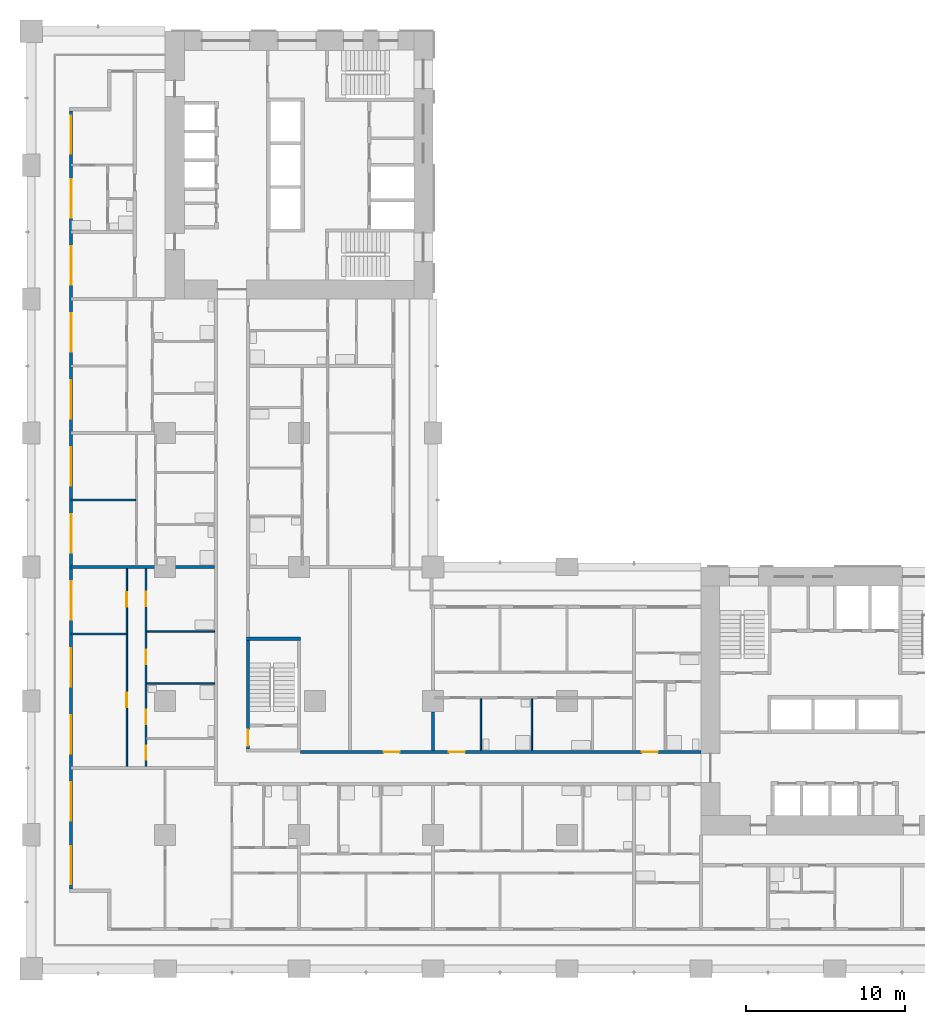
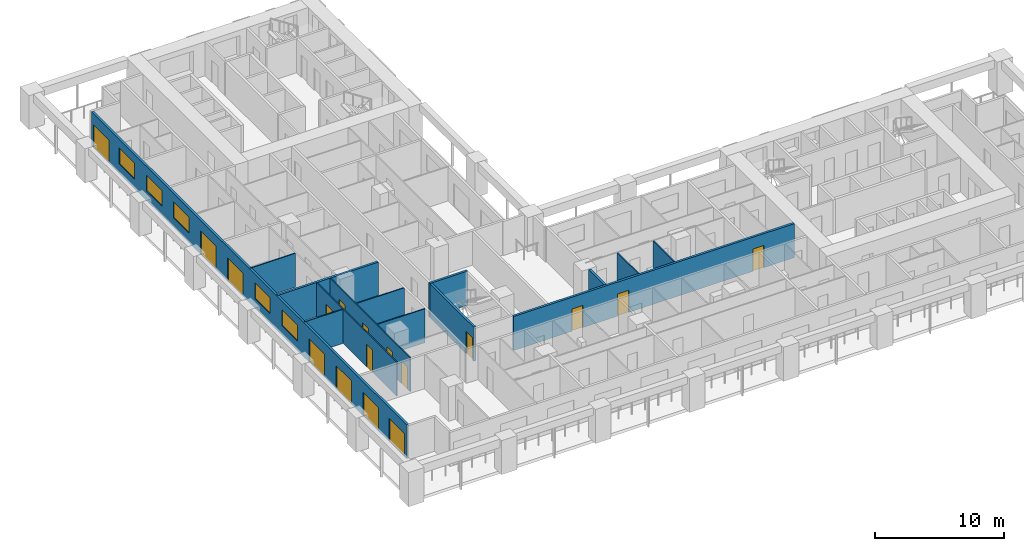
# One storey, part 3 of 19: 17 doors, 14 walls, 5 windows, 22 openings.
"""IFC4 building model written with IfcOpenShell, lengths in metres."""

from ifc_helpers import new_model, si_unit, direction, frame, frame_2d, origin, place, context, subcontext, project, spatial, rectangle, extrude, material, layer, layer_set, type_object, element, fill, save


model = new_model("IFC4")

# Units and contexts
model_context = context("Model", 3, precision=1e-05, world=origin(), true_north=direction((0.0, 1.0)))
body_context = subcontext(model_context, "Body", "Model", "MODEL_VIEW")
ifc_project = project(units=[si_unit("LENGTHUNIT", "METRE"), si_unit("AREAUNIT", "SQUARE_METRE"), si_unit("VOLUMEUNIT", "CUBIC_METRE"), si_unit("PLANEANGLEUNIT", "RADIAN"), si_unit("MASSUNIT", "GRAM", prefix="KILO")], contexts=[model_context])

# Site, building, storey
site_placement = place(None, origin())
site = spatial("IfcSite", under=ifc_project, at=site_placement, CompositionType="ELEMENT")
building_placement = place(site_placement, origin())
building = spatial("IfcBuilding", under=site, at=building_placement, Name="Vermilion Gate Residences", CompositionType="ELEMENT")
storey_placement = place(building_placement, frame((0.0, 0.0, 53.199951171875)))
storey = spatial("IfcBuildingStorey", under=building, at=storey_placement, Name="L12", CompositionType="ELEMENT", Elevation=53.199951171875)

# Wall, openings, doors, windows
ifc_material_1 = material(Name="Insulated steel stud wall with terracotta rainscreen", Category="masonry")
ifc_layer_1 = layer(ifc_material_1, 0.199951171875)
ifc_layer_set_1 = layer_set([ifc_layer_1], Name="EXTERNAL WALL 200 TERRACOTTA RAINSCREEN")
wall_type_1 = type_object("IfcWallType", Name="EXTERNAL WALL 200 TERRACOTTA RAINSCREEN", PredefinedType="SOLIDWALL", material=ifc_layer_set_1)
wall_1_placement = place(storey_placement, frame((2.5, 53.800048828125, 0.0), z_axis=(0.0, 0.0, 1.0), x_axis=(0.0, -1.0, 0.0)))
wall_1 = element("IfcWall", 1, at=wall_1_placement, inside=storey, type_object=wall_type_1, Name="External wall", PredefinedType="SOLIDWALL", context=body_context, shape_type="SweptSolid", body=[
    extrude(rectangle(XDim=48.800048828125, YDim=0.199951171875, at=frame_2d((24.39990234375, 0.0))), origin(), (0.0, 0.0, 1.0), 3.219970703125),
])
opening_1_placement = place(wall_1_placement, frame((46.10009765625, 0.0, 0.0)))
opening_1 = element("IfcOpeningElement", 2, at=opening_1_placement, cuts=wall_1, Name="Opening DE12002", PredefinedType="OPENING", context=body_context, shape_type="SweptSolid", body=[
    extrude(rectangle(XDim=2.39990234375, YDim=2.199951171875, at=frame_2d((1.199951171875, 1.10009765625))), frame((0.0, 0.10986328125, 0.0), z_axis=(0.0, -1.0, 0.0), x_axis=(1.0, 0.0, 0.0)), (0.0, 0.0, 1.0), 0.219970703125),
])
opening_2_placement = place(wall_1_placement, frame((42.10009765625, 0.0, 0.0)))
opening_2 = element("IfcOpeningElement", 3, at=opening_2_placement, cuts=wall_1, Name="Opening DE12003", PredefinedType="OPENING", context=body_context, shape_type="SweptSolid", body=[
    extrude(rectangle(XDim=2.39990234375, YDim=2.199951171875, at=frame_2d((1.199951171875, 1.10009765625))), frame((0.0, 0.10986328125, 0.0), z_axis=(0.0, -1.0, 0.0), x_axis=(1.0, 0.0, 0.0)), (0.0, 0.0, 1.0), 0.219970703125),
])
opening_3_placement = place(wall_1_placement, frame((37.89990234375, 0.0, 0.0)))
opening_3 = element("IfcOpeningElement", 4, at=opening_3_placement, cuts=wall_1, Name="Opening DE12004", PredefinedType="OPENING", context=body_context, shape_type="SweptSolid", body=[
    extrude(rectangle(XDim=2.39990234375, YDim=2.199951171875, at=frame_2d((1.199951171875, 1.10009765625))), frame((0.0, 0.10986328125, 0.0), z_axis=(0.0, -1.0, 0.0), x_axis=(1.0, 0.0, 0.0)), (0.0, 0.0, 1.0), 0.219970703125),
])
opening_4_placement = place(wall_1_placement, frame((33.699951171875, 0.0, 0.0)))
opening_4 = element("IfcOpeningElement", 5, at=opening_4_placement, cuts=wall_1, Name="Opening DE12005", PredefinedType="OPENING", context=body_context, shape_type="SweptSolid", body=[
    extrude(rectangle(XDim=2.39990234375, YDim=2.199951171875, at=frame_2d((1.199951171875, 1.10009765625))), frame((0.0, 0.10986328125, 0.0), z_axis=(0.0, -1.0, 0.0), x_axis=(1.0, 0.0, 0.0)), (0.0, 0.0, 1.0), 0.219970703125),
])
opening_5_placement = place(wall_1_placement, frame((29.5, 0.0, 0.89990234375)))
opening_5 = element("IfcOpeningElement", 6, at=opening_5_placement, cuts=wall_1, Name="Opening WE12006", PredefinedType="OPENING", context=body_context, shape_type="SweptSolid", body=[
    extrude(rectangle(XDim=2.39990234375, YDim=1.5, at=frame_2d((1.199951171875, 0.75))), frame((0.0, 0.10986328125, 0.0), z_axis=(0.0, -1.0, 0.0), x_axis=(1.0, 0.0, 0.0)), (0.0, 0.0, 1.0), 0.219970703125),
])
opening_6_placement = place(wall_1_placement, frame((25.300048828125, 0.0, 0.89990234375)))
opening_6 = element("IfcOpeningElement", 7, at=opening_6_placement, cuts=wall_1, Name="Opening WE12007", PredefinedType="OPENING", context=body_context, shape_type="SweptSolid", body=[
    extrude(rectangle(XDim=2.39990234375, YDim=1.5, at=frame_2d((1.199951171875, 0.75))), frame((0.0, 0.10986328125, 0.0), z_axis=(0.0, -1.0, 0.0), x_axis=(1.0, 0.0, 0.0)), (0.0, 0.0, 1.0), 0.219970703125),
])
opening_7_placement = place(wall_1_placement, frame((21.10009765625, 0.0, 0.0)))
opening_7 = element("IfcOpeningElement", 8, at=opening_7_placement, cuts=wall_1, Name="Opening DE12008", PredefinedType="OPENING", context=body_context, shape_type="SweptSolid", body=[
    extrude(rectangle(XDim=2.39990234375, YDim=2.199951171875, at=frame_2d((1.199951171875, 1.10009765625))), frame((0.0, 0.10986328125, 0.0), z_axis=(0.0, -1.0, 0.0), x_axis=(1.0, 0.0, 0.0)), (0.0, 0.0, 1.0), 0.219970703125),
])
opening_8_placement = place(wall_1_placement, frame((16.89990234375, 0.0, 0.0)))
opening_8 = element("IfcOpeningElement", 9, at=opening_8_placement, cuts=wall_1, Name="Opening DE12009", PredefinedType="OPENING", context=body_context, shape_type="SweptSolid", body=[
    extrude(rectangle(XDim=2.39990234375, YDim=2.199951171875, at=frame_2d((1.199951171875, 1.10009765625))), frame((0.0, 0.10986328125, 0.0), z_axis=(0.0, -1.0, 0.0), x_axis=(1.0, 0.0, 0.0)), (0.0, 0.0, 1.0), 0.219970703125),
])
opening_9_placement = place(wall_1_placement, frame((12.699951171875, 0.0, 0.89990234375)))
opening_9 = element("IfcOpeningElement", 10, at=opening_9_placement, cuts=wall_1, Name="Opening WE12010", PredefinedType="OPENING", context=body_context, shape_type="SweptSolid", body=[
    extrude(rectangle(XDim=2.39990234375, YDim=1.5, at=frame_2d((1.199951171875, 0.75))), frame((0.0, 0.10986328125, 0.0), z_axis=(0.0, -1.0, 0.0), x_axis=(1.0, 0.0, 0.0)), (0.0, 0.0, 1.0), 0.219970703125),
])
opening_10_placement = place(wall_1_placement, frame((8.5, 0.0, 0.89990234375)))
opening_10 = element("IfcOpeningElement", 11, at=opening_10_placement, cuts=wall_1, Name="Opening WE12011", PredefinedType="OPENING", context=body_context, shape_type="SweptSolid", body=[
    extrude(rectangle(XDim=2.39990234375, YDim=1.5, at=frame_2d((1.199951171875, 0.75))), frame((0.0, 0.10986328125, 0.0), z_axis=(0.0, -1.0, 0.0), x_axis=(1.0, 0.0, 0.0)), (0.0, 0.0, 1.0), 0.219970703125),
])
opening_11_placement = place(wall_1_placement, frame((4.300048828125, 0.0, 0.89990234375)))
opening_11 = element("IfcOpeningElement", 12, at=opening_11_placement, cuts=wall_1, Name="Opening WE12012", PredefinedType="OPENING", context=body_context, shape_type="SweptSolid", body=[
    extrude(rectangle(XDim=2.39990234375, YDim=1.5, at=frame_2d((1.199951171875, 0.75))), frame((0.0, 0.10986328125, 0.0), z_axis=(0.0, -1.0, 0.0), x_axis=(1.0, 0.0, 0.0)), (0.0, 0.0, 1.0), 0.219970703125),
])
opening_12_placement = place(wall_1_placement, frame((0.300048828125, 0.0, 0.0)))
opening_12 = element("IfcOpeningElement", 13, at=opening_12_placement, cuts=wall_1, Name="Opening DE12013", PredefinedType="OPENING", context=body_context, shape_type="SweptSolid", body=[
    extrude(rectangle(XDim=2.39990234375, YDim=2.199951171875, at=frame_2d((1.199951171875, 1.10009765625))), frame((0.0, 0.10986328125, 0.0), z_axis=(0.0, -1.0, 0.0), x_axis=(1.0, 0.0, 0.0)), (0.0, 0.0, 1.0), 0.219970703125),
])
ifc_material_2 = material(Name="Aluminium and clear glass", Category="aluminium")
door_type_1 = type_object("IfcDoorType", Name="SLIDING GLAZED DOOR 2400 X 2200", OperationType="DOUBLE_DOOR_SLIDING", PredefinedType="DOOR", material=ifc_material_2)
door_1_placement = place(opening_1_placement, origin())
door_1 = element("IfcDoor", 14, at=door_1_placement, inside=storey, type_object=door_type_1, Name="Loggia sliding door", OperationType="DOUBLE_DOOR_SLIDING", OverallHeight=2.199951171875, OverallWidth=2.39990234375, PredefinedType="DOOR", context=body_context, shape_type="SweptSolid", body=[
    extrude(rectangle(XDim=2.39990234375, YDim=2.199951171875, at=frame_2d((1.199951171875, 1.10009765625))), frame((0.0, 0.02490234375, 0.0), z_axis=(0.0, -1.0, 0.0), x_axis=(1.0, 0.0, 0.0)), (0.0, 0.0, 1.0), 0.050048828125),
])
fill(opening_1, door_1)
door_2_placement = place(opening_2_placement, origin())
door_2 = element("IfcDoor", 15, at=door_2_placement, inside=storey, type_object=door_type_1, Name="Loggia sliding door", OperationType="DOUBLE_DOOR_SLIDING", OverallHeight=2.199951171875, OverallWidth=2.39990234375, PredefinedType="DOOR", context=body_context, shape_type="SweptSolid", body=[
    extrude(rectangle(XDim=2.39990234375, YDim=2.199951171875, at=frame_2d((1.199951171875, 1.10009765625))), frame((0.0, 0.02490234375, 0.0), z_axis=(0.0, -1.0, 0.0), x_axis=(1.0, 0.0, 0.0)), (0.0, 0.0, 1.0), 0.050048828125),
])
fill(opening_2, door_2)
door_3_placement = place(opening_3_placement, origin())
door_3 = element("IfcDoor", 16, at=door_3_placement, inside=storey, type_object=door_type_1, Name="Loggia sliding door", OperationType="DOUBLE_DOOR_SLIDING", OverallHeight=2.199951171875, OverallWidth=2.39990234375, PredefinedType="DOOR", context=body_context, shape_type="SweptSolid", body=[
    extrude(rectangle(XDim=2.39990234375, YDim=2.199951171875, at=frame_2d((1.199951171875, 1.10009765625))), frame((0.0, 0.02490234375, 0.0), z_axis=(0.0, -1.0, 0.0), x_axis=(1.0, 0.0, 0.0)), (0.0, 0.0, 1.0), 0.050048828125),
])
fill(opening_3, door_3)
door_4_placement = place(opening_4_placement, origin())
door_4 = element("IfcDoor", 17, at=door_4_placement, inside=storey, type_object=door_type_1, Name="Loggia sliding door", OperationType="DOUBLE_DOOR_SLIDING", OverallHeight=2.199951171875, OverallWidth=2.39990234375, PredefinedType="DOOR", context=body_context, shape_type="SweptSolid", body=[
    extrude(rectangle(XDim=2.39990234375, YDim=2.199951171875, at=frame_2d((1.199951171875, 1.10009765625))), frame((0.0, 0.02490234375, 0.0), z_axis=(0.0, -1.0, 0.0), x_axis=(1.0, 0.0, 0.0)), (0.0, 0.0, 1.0), 0.050048828125),
])
fill(opening_4, door_4)
door_5_placement = place(opening_7_placement, origin())
door_5 = element("IfcDoor", 18, at=door_5_placement, inside=storey, type_object=door_type_1, Name="Loggia sliding door", OperationType="DOUBLE_DOOR_SLIDING", OverallHeight=2.199951171875, OverallWidth=2.39990234375, PredefinedType="DOOR", context=body_context, shape_type="SweptSolid", body=[
    extrude(rectangle(XDim=2.39990234375, YDim=2.199951171875, at=frame_2d((1.199951171875, 1.10009765625))), frame((0.0, 0.02490234375, 0.0), z_axis=(0.0, -1.0, 0.0), x_axis=(1.0, 0.0, 0.0)), (0.0, 0.0, 1.0), 0.050048828125),
])
fill(opening_7, door_5)
door_6_placement = place(opening_8_placement, origin())
door_6 = element("IfcDoor", 19, at=door_6_placement, inside=storey, type_object=door_type_1, Name="Loggia sliding door", OperationType="DOUBLE_DOOR_SLIDING", OverallHeight=2.199951171875, OverallWidth=2.39990234375, PredefinedType="DOOR", context=body_context, shape_type="SweptSolid", body=[
    extrude(rectangle(XDim=2.39990234375, YDim=2.199951171875, at=frame_2d((1.199951171875, 1.10009765625))), frame((0.0, 0.02490234375, 0.0), z_axis=(0.0, -1.0, 0.0), x_axis=(1.0, 0.0, 0.0)), (0.0, 0.0, 1.0), 0.050048828125),
])
fill(opening_8, door_6)
door_7_placement = place(opening_12_placement, origin())
door_7 = element("IfcDoor", 20, at=door_7_placement, inside=storey, type_object=door_type_1, Name="Loggia sliding door", OperationType="DOUBLE_DOOR_SLIDING", OverallHeight=2.199951171875, OverallWidth=2.39990234375, PredefinedType="DOOR", context=body_context, shape_type="SweptSolid", body=[
    extrude(rectangle(XDim=2.39990234375, YDim=2.199951171875, at=frame_2d((1.199951171875, 1.10009765625))), frame((0.0, 0.02490234375, 0.0), z_axis=(0.0, -1.0, 0.0), x_axis=(1.0, 0.0, 0.0)), (0.0, 0.0, 1.0), 0.050048828125),
])
fill(opening_12, door_7)
ifc_material_3 = material(Name="Aluminium and clear glass", Category="aluminium")
window_type = type_object("IfcWindowType", Name="WINDOW 2400 X 1500", PartitioningType="SINGLE_PANEL", PredefinedType="WINDOW", material=ifc_material_3)
window_1_placement = place(opening_5_placement, origin())
window_1 = element("IfcWindow", 21, at=window_1_placement, inside=storey, type_object=window_type, Name="Window", OverallHeight=1.5, OverallWidth=2.39990234375, PartitioningType="SINGLE_PANEL", PredefinedType="WINDOW", context=body_context, shape_type="SweptSolid", body=[
    extrude(rectangle(XDim=2.39990234375, YDim=1.5, at=frame_2d((1.199951171875, 0.75))), frame((0.0, 0.030029296875, 0.0), z_axis=(0.0, -1.0, 0.0), x_axis=(1.0, 0.0, 0.0)), (0.0, 0.0, 1.0), 0.06005859375),
])
fill(opening_5, window_1)
window_2_placement = place(opening_6_placement, origin())
window_2 = element("IfcWindow", 22, at=window_2_placement, inside=storey, type_object=window_type, Name="Window", OverallHeight=1.5, OverallWidth=2.39990234375, PartitioningType="SINGLE_PANEL", PredefinedType="WINDOW", context=body_context, shape_type="SweptSolid", body=[
    extrude(rectangle(XDim=2.39990234375, YDim=1.5, at=frame_2d((1.199951171875, 0.75))), frame((0.0, 0.030029296875, 0.0), z_axis=(0.0, -1.0, 0.0), x_axis=(1.0, 0.0, 0.0)), (0.0, 0.0, 1.0), 0.06005859375),
])
fill(opening_6, window_2)
window_3_placement = place(opening_9_placement, origin())
window_3 = element("IfcWindow", 23, at=window_3_placement, inside=storey, type_object=window_type, Name="Window", OverallHeight=1.5, OverallWidth=2.39990234375, PartitioningType="SINGLE_PANEL", PredefinedType="WINDOW", context=body_context, shape_type="SweptSolid", body=[
    extrude(rectangle(XDim=2.39990234375, YDim=1.5, at=frame_2d((1.199951171875, 0.75))), frame((0.0, 0.030029296875, 0.0), z_axis=(0.0, -1.0, 0.0), x_axis=(1.0, 0.0, 0.0)), (0.0, 0.0, 1.0), 0.06005859375),
])
fill(opening_9, window_3)
window_4_placement = place(opening_10_placement, origin())
window_4 = element("IfcWindow", 24, at=window_4_placement, inside=storey, type_object=window_type, Name="Window", OverallHeight=1.5, OverallWidth=2.39990234375, PartitioningType="SINGLE_PANEL", PredefinedType="WINDOW", context=body_context, shape_type="SweptSolid", body=[
    extrude(rectangle(XDim=2.39990234375, YDim=1.5, at=frame_2d((1.199951171875, 0.75))), frame((0.0, 0.030029296875, 0.0), z_axis=(0.0, -1.0, 0.0), x_axis=(1.0, 0.0, 0.0)), (0.0, 0.0, 1.0), 0.06005859375),
])
fill(opening_10, window_4)
window_5_placement = place(opening_11_placement, origin())
window_5 = element("IfcWindow", 25, at=window_5_placement, inside=storey, type_object=window_type, Name="Window", OverallHeight=1.5, OverallWidth=2.39990234375, PartitioningType="SINGLE_PANEL", PredefinedType="WINDOW", context=body_context, shape_type="SweptSolid", body=[
    extrude(rectangle(XDim=2.39990234375, YDim=1.5, at=frame_2d((1.199951171875, 0.75))), frame((0.0, 0.030029296875, 0.0), z_axis=(0.0, -1.0, 0.0), x_axis=(1.0, 0.0, 0.0)), (0.0, 0.0, 1.0), 0.06005859375),
])
fill(opening_11, window_5)

# Walls
ifc_material_4 = material(Name="Plasterboard on steel studs", Category="steel")
ifc_layer_2 = layer(ifc_material_4, 0.10009765625)
ifc_layer_set_2 = layer_set([ifc_layer_2], Name="PARTITION 100")
wall_type_2 = type_object("IfcWallType", Name="PARTITION 100", PredefinedType="PARTITIONING", material=ifc_layer_set_2)
wall_2_placement = place(storey_placement, frame((7.25, 17.89990234375, 0.0), z_axis=(0.0, 0.0, 1.0), x_axis=(1.0, 0.0, 0.0)))
element("IfcWall", 26, at=wall_2_placement, inside=storey, type_object=wall_type_2, Name="Partition", PredefinedType="PARTITIONING", context=body_context, shape_type="SweptSolid", body=[
    extrude(rectangle(XDim=4.25, YDim=0.10009765625, at=frame_2d((2.125, 0.0))), origin(), (0.0, 0.0, 1.0), 3.219970703125),
])
wall_3_placement = place(storey_placement, frame((2.5, 21.0, 0.0), z_axis=(0.0, 0.0, 1.0), x_axis=(1.0, 0.0, 0.0)))
element("IfcWall", 27, at=wall_3_placement, inside=storey, type_object=wall_type_2, Name="Partition", PredefinedType="PARTITIONING", context=body_context, shape_type="SweptSolid", body=[
    extrude(rectangle(XDim=3.449951171875, YDim=0.10009765625, at=frame_2d((1.72509765625, 0.0))), origin(), (0.0, 0.0, 1.0), 3.219970703125),
])
wall_4_placement = place(storey_placement, frame((7.25, 21.14990234375, 0.0), z_axis=(0.0, 0.0, 1.0), x_axis=(1.0, 0.0, 0.0)))
element("IfcWall", 28, at=wall_4_placement, inside=storey, type_object=wall_type_2, Name="Partition", PredefinedType="PARTITIONING", context=body_context, shape_type="SweptSolid", body=[
    extrude(rectangle(XDim=4.25, YDim=0.10009765625, at=frame_2d((2.125, 0.0))), origin(), (0.0, 0.0, 1.0), 3.219970703125),
])
wall_5_placement = place(storey_placement, frame((2.5, 29.39990234375, 0.0), z_axis=(0.0, 0.0, 1.0), x_axis=(1.0, 0.0, 0.0)))
element("IfcWall", 29, at=wall_5_placement, inside=storey, type_object=wall_type_2, Name="Partition", PredefinedType="PARTITIONING", context=body_context, shape_type="SweptSolid", body=[
    extrude(rectangle(XDim=4.050048828125, YDim=0.10009765625, at=frame_2d((2.02490234375, 0.0))), origin(), (0.0, 0.0, 1.0), 3.219970703125),
])

# Wall, openings, doors
wall_6_placement = place(storey_placement, frame((6.0, 12.699951171875, 0.0), z_axis=(0.0, 0.0, 1.0), x_axis=(0.0, 1.0, 0.0)))
wall_6 = element("IfcWall", 30, at=wall_6_placement, inside=storey, type_object=wall_type_2, Name="Partition", PredefinedType="PARTITIONING", context=body_context, shape_type="SweptSolid", body=[
    extrude(rectangle(XDim=12.400146484375, YDim=0.10009765625, at=frame_2d((6.2001953125, 0.0))), origin(), (0.0, 0.0, 1.0), 3.219970703125),
])
opening_13_placement = place(wall_6_placement, frame((3.699951171875, 0.0, 0.0)))
opening_13 = element("IfcOpeningElement", 31, at=opening_13_placement, cuts=wall_6, Name="Opening DA10045", PredefinedType="OPENING", context=body_context, shape_type="SweptSolid", body=[
    extrude(rectangle(XDim=0.89990234375, YDim=2.10009765625, at=frame_2d((0.449951171875, 1.050048828125))), frame((0.0, 0.06005859375, 0.0), z_axis=(0.0, -1.0, 0.0), x_axis=(1.0, 0.0, 0.0)), (0.0, 0.0, 1.0), 0.1201171875),
])
opening_14_placement = place(wall_6_placement, frame((10.0, 0.0, 0.0)))
opening_14 = element("IfcOpeningElement", 32, at=opening_14_placement, cuts=wall_6, Name="Opening DA10046", PredefinedType="OPENING", context=body_context, shape_type="SweptSolid", body=[
    extrude(rectangle(XDim=0.89990234375, YDim=2.10009765625, at=frame_2d((0.449951171875, 1.050048828125))), frame((0.0, 0.06005859375, 0.0), z_axis=(0.0, -1.0, 0.0), x_axis=(1.0, 0.0, 0.0)), (0.0, 0.0, 1.0), 0.1201171875),
])
ifc_material_5 = material(Name="Timber", Category="wood")
door_type_2 = type_object("IfcDoorType", Name="INTERIOR DOOR 900 X 2100", OperationType="SINGLE_SWING_LEFT", PredefinedType="DOOR", material=ifc_material_5)
door_8_placement = place(opening_13_placement, origin())
door_8 = element("IfcDoor", 33, at=door_8_placement, inside=storey, type_object=door_type_2, Name="Interior door", OperationType="SINGLE_SWING_LEFT", OverallHeight=2.10009765625, OverallWidth=0.89990234375, PredefinedType="DOOR", context=body_context, shape_type="SweptSolid", body=[
    extrude(rectangle(XDim=0.89990234375, YDim=2.10009765625, at=frame_2d((0.449951171875, 1.050048828125))), frame((0.0, 0.02490234375, 0.0), z_axis=(0.0, -1.0, 0.0), x_axis=(1.0, 0.0, 0.0)), (0.0, 0.0, 1.0), 0.050048828125),
])
fill(opening_13, door_8)
door_9_placement = place(opening_14_placement, origin())
door_9 = element("IfcDoor", 34, at=door_9_placement, inside=storey, type_object=door_type_2, Name="Interior door", OperationType="SINGLE_SWING_RIGHT", OverallHeight=2.10009765625, OverallWidth=0.89990234375, PredefinedType="DOOR", context=body_context, shape_type="SweptSolid", body=[
    extrude(rectangle(XDim=0.89990234375, YDim=2.10009765625, at=frame_2d((0.449951171875, 1.050048828125))), frame((0.0, 0.02490234375, 0.0), z_axis=(0.0, -1.0, 0.0), x_axis=(1.0, 0.0, 0.0)), (0.0, 0.0, 1.0), 0.050048828125),
])
fill(opening_14, door_9)

wall_7_placement = place(storey_placement, frame((7.199951171875, 12.699951171875, 0.0), z_axis=(0.0, 0.0, 1.0), x_axis=(0.0, 1.0, 0.0)))
wall_7 = element("IfcWall", 35, at=wall_7_placement, inside=storey, type_object=wall_type_2, Name="Partition", PredefinedType="PARTITIONING", context=body_context, shape_type="SweptSolid", body=[
    extrude(rectangle(XDim=12.400146484375, YDim=0.10009765625, at=frame_2d((6.2001953125, 0.0))), origin(), (0.0, 0.0, 1.0), 3.219970703125),
])
opening_15_placement = place(wall_7_placement, frame((6.39990234375, 0.0, 0.0)))
opening_15 = element("IfcOpeningElement", 36, at=opening_15_placement, cuts=wall_7, Name="Opening DA10053", PredefinedType="OPENING", context=body_context, shape_type="SweptSolid", body=[
    extrude(rectangle(XDim=0.89990234375, YDim=2.10009765625, at=frame_2d((0.449951171875, 1.050048828125))), frame((0.0, 0.06005859375, 0.0), z_axis=(0.0, -1.0, 0.0), x_axis=(1.0, 0.0, 0.0)), (0.0, 0.0, 1.0), 0.1201171875),
])
opening_16_placement = place(wall_7_placement, frame((0.39990234375, 0.0, 0.0)))
opening_16 = element("IfcOpeningElement", 37, at=opening_16_placement, cuts=wall_7, Name="Opening DA10054", PredefinedType="OPENING", context=body_context, shape_type="SweptSolid", body=[
    extrude(rectangle(XDim=0.89990234375, YDim=2.10009765625, at=frame_2d((0.449951171875, 1.050048828125))), frame((0.0, 0.06005859375, 0.0), z_axis=(0.0, -1.0, 0.0), x_axis=(1.0, 0.0, 0.0)), (0.0, 0.0, 1.0), 0.1201171875),
])
opening_17_placement = place(wall_7_placement, frame((2.64990234375, 0.0, 0.0)))
opening_17 = element("IfcOpeningElement", 38, at=opening_17_placement, cuts=wall_7, Name="Opening DA10055", PredefinedType="OPENING", context=body_context, shape_type="SweptSolid", body=[
    extrude(rectangle(XDim=0.89990234375, YDim=2.10009765625, at=frame_2d((0.449951171875, 1.050048828125))), frame((0.0, 0.06005859375, 0.0), z_axis=(0.0, -1.0, 0.0), x_axis=(1.0, 0.0, 0.0)), (0.0, 0.0, 1.0), 0.1201171875),
])
opening_18_placement = place(wall_7_placement, frame((10.050048828125, 0.0, 0.0)))
opening_18 = element("IfcOpeningElement", 39, at=opening_18_placement, cuts=wall_7, Name="Opening DA10056", PredefinedType="OPENING", context=body_context, shape_type="SweptSolid", body=[
    extrude(rectangle(XDim=0.89990234375, YDim=2.10009765625, at=frame_2d((0.449951171875, 1.050048828125))), frame((0.0, 0.06005859375, 0.0), z_axis=(0.0, -1.0, 0.0), x_axis=(1.0, 0.0, 0.0)), (0.0, 0.0, 1.0), 0.1201171875),
])
door_10_placement = place(opening_15_placement, frame((0.89990234375, 0.0, 0.0), z_axis=(0.0, 0.0, 1.0), x_axis=(-1.0, 0.0, 0.0)))
door_10 = element("IfcDoor", 40, at=door_10_placement, inside=storey, type_object=door_type_2, Name="Interior door", OperationType="SINGLE_SWING_LEFT", OverallHeight=2.10009765625, OverallWidth=0.89990234375, PredefinedType="DOOR", context=body_context, shape_type="SweptSolid", body=[
    extrude(rectangle(XDim=0.89990234375, YDim=2.10009765625, at=frame_2d((0.449951171875, 1.050048828125))), frame((0.0, 0.02490234375, 0.0), z_axis=(0.0, -1.0, 0.0), x_axis=(1.0, 0.0, 0.0)), (0.0, 0.0, 1.0), 0.050048828125),
])
fill(opening_15, door_10)
door_11_placement = place(opening_16_placement, frame((0.89990234375, 0.0, 0.0), z_axis=(0.0, 0.0, 1.0), x_axis=(-1.0, 0.0, 0.0)))
door_11 = element("IfcDoor", 41, at=door_11_placement, inside=storey, type_object=door_type_2, Name="Interior door", OperationType="SINGLE_SWING_LEFT", OverallHeight=2.10009765625, OverallWidth=0.89990234375, PredefinedType="DOOR", context=body_context, shape_type="SweptSolid", body=[
    extrude(rectangle(XDim=0.89990234375, YDim=2.10009765625, at=frame_2d((0.449951171875, 1.050048828125))), frame((0.0, 0.02490234375, 0.0), z_axis=(0.0, -1.0, 0.0), x_axis=(1.0, 0.0, 0.0)), (0.0, 0.0, 1.0), 0.050048828125),
])
fill(opening_16, door_11)
door_12_placement = place(opening_17_placement, frame((0.89990234375, 0.0, 0.0), z_axis=(0.0, 0.0, 1.0), x_axis=(-1.0, 0.0, 0.0)))
door_12 = element("IfcDoor", 42, at=door_12_placement, inside=storey, type_object=door_type_2, Name="Interior door", OperationType="SINGLE_SWING_RIGHT", OverallHeight=2.10009765625, OverallWidth=0.89990234375, PredefinedType="DOOR", context=body_context, shape_type="SweptSolid", body=[
    extrude(rectangle(XDim=0.89990234375, YDim=2.10009765625, at=frame_2d((0.449951171875, 1.050048828125))), frame((0.0, 0.02490234375, 0.0), z_axis=(0.0, -1.0, 0.0), x_axis=(1.0, 0.0, 0.0)), (0.0, 0.0, 1.0), 0.050048828125),
])
fill(opening_17, door_12)
door_13_placement = place(opening_18_placement, frame((0.89990234375, 0.0, 0.0), z_axis=(0.0, 0.0, 1.0), x_axis=(-1.0, 0.0, 0.0)))
door_13 = element("IfcDoor", 43, at=door_13_placement, inside=storey, type_object=door_type_2, Name="Interior door", OperationType="SINGLE_SWING_LEFT", OverallHeight=2.10009765625, OverallWidth=0.89990234375, PredefinedType="DOOR", context=body_context, shape_type="SweptSolid", body=[
    extrude(rectangle(XDim=0.89990234375, YDim=2.10009765625, at=frame_2d((0.449951171875, 1.050048828125))), frame((0.0, 0.02490234375, 0.0), z_axis=(0.0, -1.0, 0.0), x_axis=(1.0, 0.0, 0.0)), (0.0, 0.0, 1.0), 0.050048828125),
])
fill(opening_18, door_13)

# Walls
for number, where, z_axis, x_axis, name in (
    (44, (28.199951171875, 13.699951171875, 0.0), (0.0, 0.0, 1.0), (0.0, 1.0, 0.0), "Partition"),
    (45, (31.39990234375, 13.699951171875, 0.0), (0.0, 0.0, 1.0), (0.0, 1.0, 0.0), "Partition"),
):
    element("IfcWall", number, at=place(storey_placement, frame(where, z_axis=z_axis, x_axis=x_axis)), inside=storey, type_object=wall_type_2, Name=name, PredefinedType="PARTITIONING", context=body_context, shape_type="SweptSolid", body=[
        extrude(rectangle(XDim=3.25, YDim=0.10009765625, at=frame_2d((1.625, 0.0))), origin(), (0.0, 0.0, 1.0), 3.219970703125),
    ])

# Wall, openings, doors
ifc_material_6 = material(Name="Fire-rated plasterboard on steel studs", Category="steel")
ifc_layer_3 = layer(ifc_material_6, 0.199951171875)
ifc_layer_set_3 = layer_set([ifc_layer_3], Name="PARTY WALL 200 EI 120")
wall_type_3 = type_object("IfcWallType", Name="PARTY WALL 200 EI 120", PredefinedType="PARTITIONING", material=ifc_layer_set_3)
wall_8_placement = place(storey_placement, frame((16.89990234375, 13.60009765625, 0.0), z_axis=(0.0, 0.0, 1.0), x_axis=(1.0, 0.0, 0.0)))
wall_8 = element("IfcWall", 46, at=wall_8_placement, inside=storey, type_object=wall_type_3, Name="Party and corridor wall", PredefinedType="PARTITIONING", context=body_context, shape_type="SweptSolid", body=[
    extrude(rectangle(XDim=25.10009765625, YDim=0.199951171875, at=frame_2d((12.550048828125, 0.0))), origin(), (0.0, 0.0, 1.0), 3.219970703125),
])
opening_19_placement = place(wall_8_placement, frame((9.300048828125, 0.0, 0.0)))
opening_19 = element("IfcOpeningElement", 47, at=opening_19_placement, cuts=wall_8, Name="Opening DA10028", PredefinedType="OPENING", context=body_context, shape_type="SweptSolid", body=[
    extrude(rectangle(XDim=1.0, YDim=2.10009765625, at=frame_2d((0.5, 1.050048828125))), frame((0.0, 0.10986328125, 0.0), z_axis=(0.0, -1.0, 0.0), x_axis=(1.0, 0.0, 0.0)), (0.0, 0.0, 1.0), 0.219970703125),
])
opening_20_placement = place(wall_8_placement, frame((21.39990234375, 0.0, 0.0)))
opening_20 = element("IfcOpeningElement", 48, at=opening_20_placement, cuts=wall_8, Name="Opening DA10029", PredefinedType="OPENING", context=body_context, shape_type="SweptSolid", body=[
    extrude(rectangle(XDim=1.0, YDim=2.10009765625, at=frame_2d((0.5, 1.050048828125))), frame((0.0, 0.10986328125, 0.0), z_axis=(0.0, -1.0, 0.0), x_axis=(1.0, 0.0, 0.0)), (0.0, 0.0, 1.0), 0.219970703125),
])
opening_21_placement = place(wall_8_placement, frame((5.199951171875, 0.0, 0.0)))
opening_21 = element("IfcOpeningElement", 49, at=opening_21_placement, cuts=wall_8, Name="Opening DA10030", PredefinedType="OPENING", context=body_context, shape_type="SweptSolid", body=[
    extrude(rectangle(XDim=1.0, YDim=2.10009765625, at=frame_2d((0.5, 1.050048828125))), frame((0.0, 0.10986328125, 0.0), z_axis=(0.0, -1.0, 0.0), x_axis=(1.0, 0.0, 0.0)), (0.0, 0.0, 1.0), 0.219970703125),
])
ifc_material_7 = material(Name="Steel", Category="steel")
door_type_3 = type_object("IfcDoorType", Name="ENTRANCE DOOR 1000 X 2100 FD30", OperationType="SINGLE_SWING_LEFT", PredefinedType="DOOR", material=ifc_material_7)
door_14_placement = place(opening_19_placement, origin())
door_14 = element("IfcDoor", 50, at=door_14_placement, inside=storey, type_object=door_type_3, Name="Entrance door", OperationType="SINGLE_SWING_LEFT", OverallHeight=2.10009765625, OverallWidth=1.0, PredefinedType="DOOR", context=body_context, shape_type="SweptSolid", body=[
    extrude(rectangle(XDim=1.0, YDim=2.10009765625, at=frame_2d((0.5, 1.050048828125))), frame((0.0, 0.02490234375, 0.0), z_axis=(0.0, -1.0, 0.0), x_axis=(1.0, 0.0, 0.0)), (0.0, 0.0, 1.0), 0.050048828125),
])
fill(opening_19, door_14)
door_15_placement = place(opening_20_placement, origin())
door_15 = element("IfcDoor", 51, at=door_15_placement, inside=storey, type_object=door_type_3, Name="Entrance door", OperationType="SINGLE_SWING_LEFT", OverallHeight=2.10009765625, OverallWidth=1.0, PredefinedType="DOOR", context=body_context, shape_type="SweptSolid", body=[
    extrude(rectangle(XDim=1.0, YDim=2.10009765625, at=frame_2d((0.5, 1.050048828125))), frame((0.0, 0.02490234375, 0.0), z_axis=(0.0, -1.0, 0.0), x_axis=(1.0, 0.0, 0.0)), (0.0, 0.0, 1.0), 0.050048828125),
])
fill(opening_20, door_15)
door_16_placement = place(opening_21_placement, origin())
door_16 = element("IfcDoor", 52, at=door_16_placement, inside=storey, type_object=door_type_3, Name="Entrance door", OperationType="SINGLE_SWING_LEFT", OverallHeight=2.10009765625, OverallWidth=1.0, PredefinedType="DOOR", context=body_context, shape_type="SweptSolid", body=[
    extrude(rectangle(XDim=1.0, YDim=2.10009765625, at=frame_2d((0.5, 1.050048828125))), frame((0.0, 0.02490234375, 0.0), z_axis=(0.0, -1.0, 0.0), x_axis=(1.0, 0.0, 0.0)), (0.0, 0.0, 1.0), 0.050048828125),
])
fill(opening_21, door_16)

# Walls
wall_9_placement = place(storey_placement, frame((2.5, 25.199951171875, 0.0), z_axis=(0.0, 0.0, 1.0), x_axis=(1.0, 0.0, 0.0)))
element("IfcWall", 53, at=wall_9_placement, inside=storey, type_object=wall_type_3, Name="Party and corridor wall", PredefinedType="PARTITIONING", context=body_context, shape_type="SweptSolid", body=[
    extrude(rectangle(XDim=9.0, YDim=0.199951171875, at=frame_2d((4.5, 0.0))), origin(), (0.0, 0.0, 1.0), 3.219970703125),
])
wall_10_placement = place(storey_placement, frame((25.199951171875, 13.699951171875, 0.0), z_axis=(0.0, 0.0, 1.0), x_axis=(0.0, 1.0, 0.0)))
element("IfcWall", 54, at=wall_10_placement, inside=storey, type_object=wall_type_3, Name="Party and corridor wall", PredefinedType="PARTITIONING", context=body_context, shape_type="SweptSolid", body=[
    extrude(rectangle(XDim=2.400146484375, YDim=0.199951171875, at=frame_2d((1.2001953125, 0.0))), origin(), (0.0, 0.0, 1.0), 3.219970703125),
])

# Wall, opening, door
ifc_material_8 = material(Name="Concrete C60", Category="concrete")
ifc_layer_4 = layer(ifc_material_8, 0.199951171875)
ifc_layer_set_4 = layer_set([ifc_layer_4], Name="RC CORE INTERNAL WALL 200 C60")
wall_type_4 = type_object("IfcWallType", Name="RC CORE INTERNAL WALL 200 C60", PredefinedType="SHEAR", material=ifc_layer_set_4)
wall_11_placement = place(storey_placement, frame((13.60009765625, 13.800048828125, 0.0), z_axis=(0.0, 0.0, 1.0), x_axis=(0.0, 1.0, 0.0)))
wall_11 = element("IfcWall", 55, at=wall_11_placement, inside=storey, type_object=wall_type_4, Name="Core internal wall C12-W", PredefinedType="SHEAR", context=body_context, shape_type="SweptSolid", body=[
    extrude(rectangle(XDim=6.800048828125, YDim=0.199951171875, at=frame_2d((3.39990234375, 0.0))), origin(), (0.0, 0.0, 1.0), 3.219970703125),
])
opening_22_placement = place(wall_11_placement, frame((0.199951171875, 0.0, 0.0)))
opening_22 = element("IfcOpeningElement", 56, at=opening_22_placement, cuts=wall_11, Name="Opening DK12201", PredefinedType="OPENING", context=body_context, shape_type="SweptSolid", body=[
    extrude(rectangle(XDim=1.0, YDim=2.10009765625, at=frame_2d((0.5, 1.050048828125))), frame((0.0, 0.10986328125, 0.0), z_axis=(0.0, -1.0, 0.0), x_axis=(1.0, 0.0, 0.0)), (0.0, 0.0, 1.0), 0.219970703125),
])
ifc_material_9 = material(Name="Steel", Category="steel")
door_type_4 = type_object("IfcDoorType", Name="FIRE DOOR FD60 1000 X 2100", OperationType="SINGLE_SWING_LEFT", PredefinedType="DOOR", material=ifc_material_9)
door_17_placement = place(opening_22_placement, frame((1.0, 0.0, 0.0), z_axis=(0.0, 0.0, 1.0), x_axis=(-1.0, 0.0, 0.0)))
door_17 = element("IfcDoor", 57, at=door_17_placement, inside=storey, type_object=door_type_4, Name="Stair vestibule door C12", OperationType="SINGLE_SWING_LEFT", OverallHeight=2.10009765625, OverallWidth=1.0, PredefinedType="DOOR", context=body_context, shape_type="SweptSolid", body=[
    extrude(rectangle(XDim=1.0, YDim=2.10009765625, at=frame_2d((0.5, 1.050048828125))), frame((0.0, 0.02490234375, 0.0), z_axis=(0.0, -1.0, 0.0), x_axis=(1.0, 0.0, 0.0)), (0.0, 0.0, 1.0), 0.050048828125),
])
fill(opening_22, door_17)

# Wall
wall_12_placement = place(storey_placement, frame((13.5, 20.699951171875, 0.0), z_axis=(0.0, 0.0, 1.0), x_axis=(1.0, 0.0, 0.0)))
element("IfcWall", 58, at=wall_12_placement, inside=storey, type_object=wall_type_4, Name="Core internal wall C12-N", PredefinedType="SHEAR", context=body_context, shape_type="SweptSolid", body=[
    extrude(rectangle(XDim=3.39990234375, YDim=0.199951171875, at=frame_2d((1.699951171875, 0.0))), origin(), (0.0, 0.0, 1.0), 3.219970703125),
])

save(model, "model.ifc")
